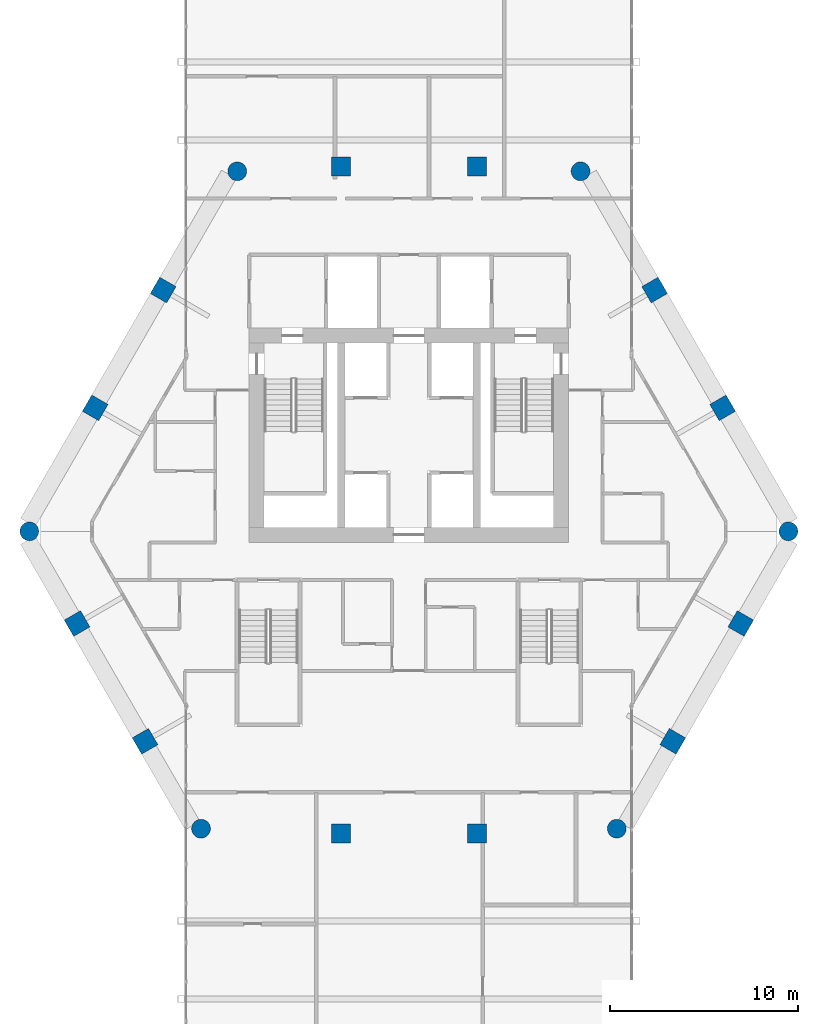
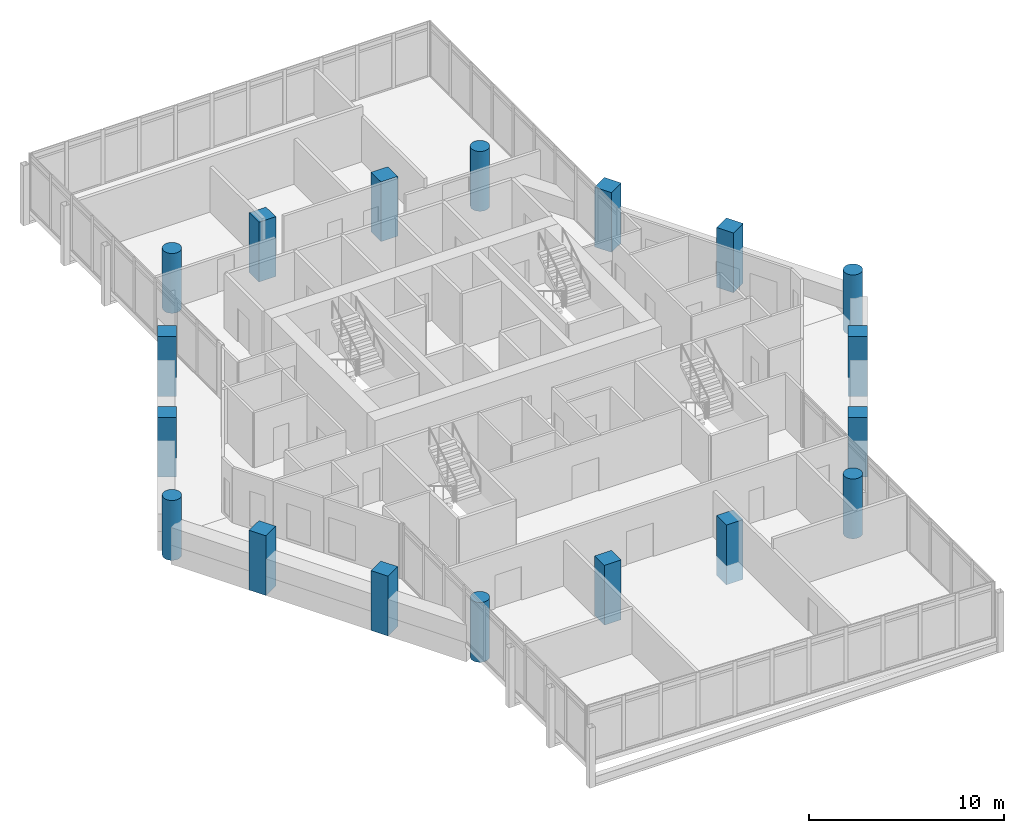
# One storey, part 1 of 29: 18 columns.
"""IFC4 building model written with IfcOpenShell, lengths in metres."""

from ifc_helpers import new_model, si_unit, direction, frame, origin, origin_2d, place, context, subcontext, project, spatial, rectangle, circle, extrude, material, material_profile, profile_set, type_object, element, save


model = new_model("IFC4")

# Units and contexts
model_context = context("Model", 3, precision=1e-05, world=origin(), true_north=direction((0.0, 1.0)))
body_context = subcontext(model_context, "Body", "Model", "MODEL_VIEW")
ifc_project = project(units=[si_unit("LENGTHUNIT", "METRE"), si_unit("AREAUNIT", "SQUARE_METRE"), si_unit("VOLUMEUNIT", "CUBIC_METRE"), si_unit("PLANEANGLEUNIT", "RADIAN"), si_unit("MASSUNIT", "GRAM", prefix="KILO")], contexts=[model_context])

# Site, building, storey
site_placement = place(None, origin())
site = spatial("IfcSite", under=ifc_project, at=site_placement, CompositionType="ELEMENT")
building_placement = place(site_placement, origin())
building = spatial("IfcBuilding", under=site, at=building_placement, Name="Ostrander Bayou Hotel Tower", CompositionType="ELEMENT")
storey_placement = place(building_placement, frame((0.0, 0.0, 202.0)))
storey = spatial("IfcBuildingStorey", under=building, at=storey_placement, Name="L50", CompositionType="ELEMENT", Elevation=202.0)

# Columns
ifc_material_1 = material(Name="Concrete f'c 60 MPa", Category="concrete")
ifc_material_profile_1 = material_profile(ifc_material_1, circle(Radius=0.5, at=origin_2d()))
ifc_profile_set_1 = profile_set([ifc_material_profile_1], Name="Concrete f'c 60 MPa")
column_type_1 = type_object("IfcColumnType", Name="C5 round column 1000 mm f'c 60 MPa", PredefinedType="COLUMN", material=ifc_profile_set_1)
for number, where, z_axis, x_axis, name in (
    (1, (-9.133544921875, 18.04541015625, -1.199951171875), (0.0, 0.0, 1.0), (1.0, 0.0, 0.0), "C5 L50 K0"),
    (2, (-20.194580078125, -1.11279296875, -1.199951171875), (0.0, 0.0, 1.0), (1.0, 0.0, 0.0), "C5 L50 K1"),
    (3, (-11.06103515625, -16.9326171875, -1.199951171875), (0.0, 0.0, 1.0), (1.0, 0.0, 0.0), "C5 L50 K2"),
    (4, (11.06103515625, -16.9326171875, -1.199951171875), (0.0, 0.0, 1.0), (1.0, 0.0, 0.0), "C5 L50 K3"),
    (5, (20.194580078125, -1.11279296875, -1.199951171875), (0.0, 0.0, 1.0), (1.0, 0.0, 0.0), "C5 L50 K4"),
    (6, (9.133544921875, 18.04541015625, -1.199951171875), (0.0, 0.0, 1.0), (1.0, 0.0, 0.0), "C5 L50 K5"),
):
    element("IfcColumn", number, at=place(storey_placement, frame(where, z_axis=z_axis, x_axis=x_axis)), inside=storey, type_object=column_type_1, Name=name, PredefinedType="COLUMN", context=body_context, shape_type="SweptSolid", body=[
        extrude(circle(Radius=0.5, at=origin_2d()), origin(), (0.0, 0.0, 1.0), 3.75),
    ])
ifc_material_2 = material(Name="Concrete f'c 60 MPa", Category="concrete")
ifc_material_profile_2 = material_profile(ifc_material_2, rectangle(XDim=1.0, YDim=1.0, at=origin_2d()))
ifc_profile_set_2 = profile_set([ifc_material_profile_2], Name="Concrete f'c 60 MPa")
column_type_2 = type_object("IfcColumnType", Name="C6 square column 1000 x 1000 mm f'c 60 MPa", PredefinedType="COLUMN", material=ifc_profile_set_2)
for number, where, z_axis, x_axis, name in (
    (7, (3.6181640625, 18.300048828125, -1.199951171875), (0.0, 0.0, 1.0), (1.0, 0.0, 0.0), "C6 L50 N1"),
    (8, (-3.6181640625, 18.300048828125, -1.199951171875), (0.0, 0.0, 1.0), (1.0, 0.0, 0.0), "C6 L50 N2"),
    (9, (-13.075439453125, 11.726806640625, -1.199951171875), (0.0, 0.0, 1.0), (0.5, 0.866025403784, 0.0), "C6 L50 NW1"),
    (10, (-16.693603515625, 5.460205078125, -1.199951171875), (0.0, 0.0, 1.0), (0.5, 0.866025403784, 0.0), "C6 L50 NW2"),
    (11, (-17.6572265625, -6.0166015625, -1.199951171875), (0.0, 0.0, 1.0), (-0.5, 0.866025403784, 0.0), "C6 L50 SW1"),
    (12, (-14.039306640625, -12.283203125, -1.199951171875), (0.0, 0.0, 1.0), (-0.5, 0.866025403784, 0.0), "C6 L50 SW2"),
    (13, (-3.6181640625, -17.187255859375, -1.199951171875), (0.0, 0.0, 1.0), (-1.0, 0.0, 0.0), "C6 L50 S1"),
    (14, (3.6181640625, -17.187255859375, -1.199951171875), (0.0, 0.0, 1.0), (-1.0, 0.0, 0.0), "C6 L50 S2"),
    (15, (14.039306640625, -12.283203125, -1.199951171875), (0.0, 0.0, 1.0), (-0.5, -0.866025403784, 0.0), "C6 L50 SE1"),
    (16, (17.6572265625, -6.0166015625, -1.199951171875), (0.0, 0.0, 1.0), (-0.5, -0.866025403784, 0.0), "C6 L50 SE2"),
    (17, (16.693603515625, 5.460205078125, -1.199951171875), (0.0, 0.0, 1.0), (0.5, -0.866025403784, 0.0), "C6 L50 NE1"),
    (18, (13.075439453125, 11.726806640625, -1.199951171875), (0.0, 0.0, 1.0), (0.5, -0.866025403784, 0.0), "C6 L50 NE2"),
):
    element("IfcColumn", number, at=place(storey_placement, frame(where, z_axis=z_axis, x_axis=x_axis)), inside=storey, type_object=column_type_2, Name=name, PredefinedType="COLUMN", context=body_context, shape_type="SweptSolid", body=[
        extrude(rectangle(XDim=1.0, YDim=1.0, at=origin_2d()), origin(), (0.0, 0.0, 1.0), 3.75),
    ])

save(model, "model.ifc")
